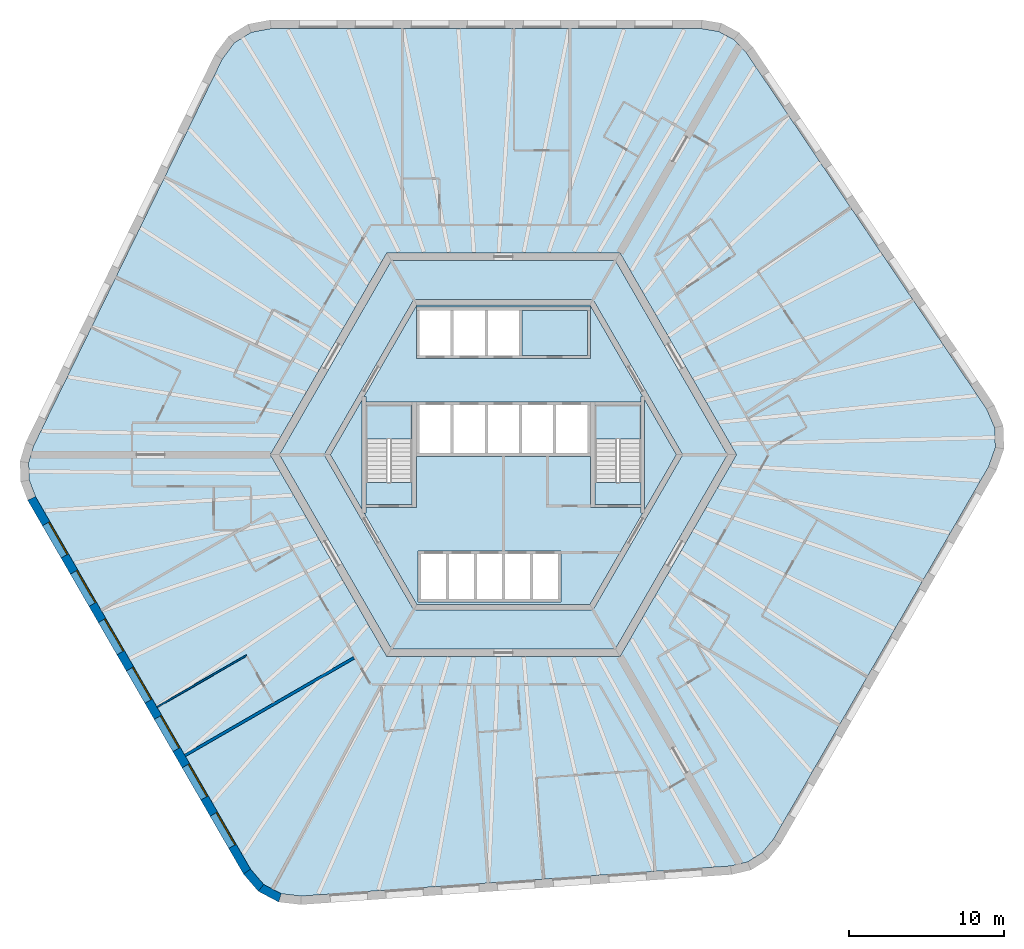
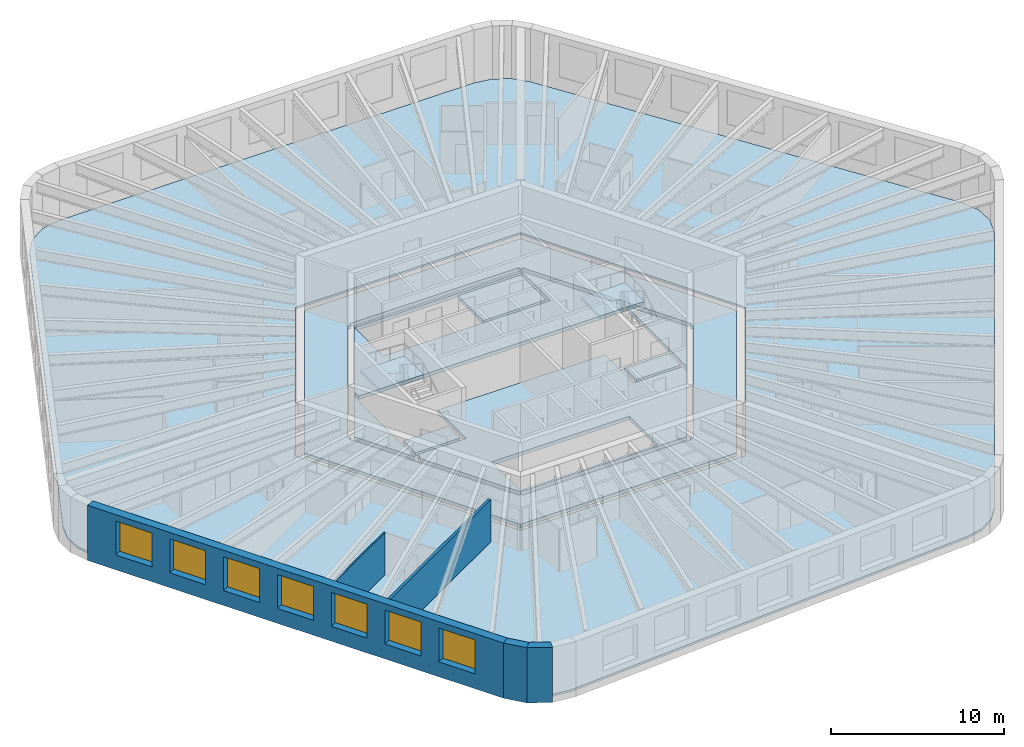
# One storey, part 2 of 10: 11 slabs, 7 windows, 5 walls, 7 openings, 2 elements without a shape of their own.
"""IFC4 building model written with IfcOpenShell, lengths in metres."""

from ifc_helpers import new_model, si_unit, direction, frame, frame_2d, origin, place, context, subcontext, project, spatial, polyline, rectangle, outline, extrude, material, layer, layer_set, type_object, element, fill, aggregate, save


model = new_model("IFC4")

# Units and contexts
model_context = context("Model", 3, precision=1e-05, world=origin(), true_north=direction((0.0, 1.0)))
body_context = subcontext(model_context, "Body", "Model", "MODEL_VIEW")
ifc_project = project(units=[si_unit("LENGTHUNIT", "METRE"), si_unit("AREAUNIT", "SQUARE_METRE"), si_unit("VOLUMEUNIT", "CUBIC_METRE"), si_unit("PLANEANGLEUNIT", "RADIAN"), si_unit("MASSUNIT", "GRAM", prefix="KILO")], contexts=[model_context])

# Site, building, storey
site_placement = place(None, origin())
site = spatial("IfcSite", under=ifc_project, at=site_placement, CompositionType="ELEMENT")
building_placement = place(site_placement, origin())
building = spatial("IfcBuilding", under=site, at=building_placement, Name="Tarnside Tower", CompositionType="ELEMENT")
storey_placement = place(building_placement, frame((0.0, 0.0, 180.0)))
storey = spatial("IfcBuildingStorey", under=building, at=storey_placement, Name="L42", CompositionType="ELEMENT", Elevation=180.0)

# Slabs
ifc_material_1 = material(Name="Concrete C35/45", Category="concrete")
ifc_layer_1 = layer(ifc_material_1, 0.14990234375)
ifc_layer_set_1 = layer_set([ifc_layer_1], Name="Composite floor slab 150")
slab_type_1 = type_object("IfcSlabType", Name="Composite floor slab 150", PredefinedType="FLOOR", material=ifc_layer_set_1)
slab_1_placement = place(storey_placement, frame((0.0, 0.0, -0.14990234375)))
element("IfcSlab", 1, at=slab_1_placement, inside=storey, type_object=slab_type_1, Name="Floor slab L42", PredefinedType="FLOOR", context=body_context, shape_type="SweptSolid", body=[
    extrude(outline(polyline([(13.864013671875, 27.264892578125), (14.85107421875, 26.740234375), (15.6337890625, 25.91064453125), (31.12890625, 2.938232421875), (31.644287109375, 1.7431640625), (31.68896484375, 0.468505859375), (31.258056640625, -0.759521484375), (17.403076171875, -24.7568359375), (16.68017578125, -25.63916015625), (15.732177734375, -26.2314453125), (14.622314453125, -26.494384765625), (-13.02001953125, -28.427490234375), (-14.3125, -28.2763671875), (-15.438720703125, -27.677490234375), (-16.286865234375, -26.6904296875), (-30.1416015625, -2.693115234375), (-30.544189453125, -1.6259765625), (-30.583251953125, -0.5087890625), (-30.256103515625, 0.583984375), (-18.10888671875, 25.4892578125), (-17.331787109375, 26.533203125), (-16.250244140625, 27.208984375), (-14.97119140625, 27.449951171875), (12.738525390625, 27.449951171875), (13.864013671875, 27.264892578125)]), holes=[polyline([(-15.010986328125, 0.0), (-7.505615234375, -13.0), (7.505615234375, -13.0), (15.010986328125, 0.0), (7.505615234375, 13.0), (-7.505615234375, 13.0), (-15.010986328125, 0.0)])]), origin(), (0.0, 0.0, 1.0), 0.14990234375),
])
ifc_material_2 = material(Name="Concrete C40/50", Category="concrete")
ifc_layer_2 = layer(ifc_material_2, 0.25)
ifc_layer_set_2 = layer_set([ifc_layer_2], Name="Core slab C40/50")
slab_type_2 = type_object("IfcSlabType", Name="Core slab C40/50", PredefinedType="FLOOR", material=ifc_layer_set_2)
slab_2_placement = place(storey_placement, frame((0.0, 0.0, -0.25)))
element("IfcSlab", 2, at=slab_2_placement, inside=storey, type_object=slab_type_2, Name="L42 core floor slab 1", PredefinedType="FLOOR", context=body_context, shape_type="SweptSolid", body=[
    extrude(outline(polyline([(-7.216796875, 12.5), (7.216796875, 12.5), (14.433837890625, 0.0), (7.216796875, -12.5), (-7.216796875, -12.5), (-14.433837890625, 0.0), (-7.216796875, 12.5)]), holes=[polyline([(5.823974609375, -9.91259765625), (11.49658203125, -0.08740234375), (11.344970703125, 0.0), (11.49658203125, 0.08740234375), (5.823974609375, 9.91259765625), (5.672607421875, 9.824951171875), (5.672607421875, 10.0), (-5.672607421875, 10.0), (-5.672607421875, 9.824951171875), (-5.823974609375, 9.91259765625), (-11.49658203125, 0.08740234375), (-11.344970703125, 0.0), (-11.49658203125, -0.08740234375), (-5.823974609375, -9.91259765625), (-5.672607421875, -9.824951171875), (-5.672607421875, -10.0), (5.672607421875, -10.0), (5.672607421875, -9.824951171875), (5.823974609375, -9.91259765625)])]), origin(), (0.0, 0.0, 1.0), 0.25),
])
slab_3_placement = place(storey_placement, frame((0.0, 0.0, -0.25)))
element("IfcSlab", 3, at=slab_3_placement, inside=storey, type_object=slab_type_2, Name="L42 core floor slab 2", PredefinedType="FLOOR", context=body_context, shape_type="SweptSolid", body=[
    extrude(outline(polyline([(-8.97509765625, 3.7548828125), (-5.5712890625, 9.64990234375), (5.5712890625, 9.64990234375), (8.97509765625, 3.7548828125), (8.85009765625, 3.7548828125), (8.85009765625, 3.39990234375), (5.89990234375, 3.39990234375), (5.60009765625, 3.39990234375), (5.60009765625, 3.39990234375), (-5.60009765625, 3.39990234375), (-5.89990234375, 3.39990234375), (-8.85009765625, 3.39990234375), (-8.85009765625, 3.7548828125), (-8.97509765625, 3.7548828125)]), holes=[polyline([(-5.60009765625, 6.199951171875), (5.60009765625, 6.199951171875), (5.60009765625, 6.39990234375), (5.60009765625, 9.300048828125), (5.60009765625, 9.5), (-5.60009765625, 9.5), (-5.60009765625, 9.300048828125), (-5.60009765625, 6.39990234375), (-5.60009765625, 6.199951171875)])]), origin(), (0.0, 0.0, 1.0), 0.25),
])
slab_4_placement = place(storey_placement, frame((0.0, 0.0, -0.25)))
element("IfcSlab", 4, at=slab_4_placement, inside=storey, type_object=slab_type_2, Name="L42 core floor slab 3", PredefinedType="FLOOR", context=body_context, shape_type="SweptSolid", body=[
    extrude(outline(polyline([(5.60009765625, -3.39990234375), (5.89990234375, -3.39990234375), (8.85009765625, -3.39990234375), (8.85009765625, -3.7548828125), (8.97509765625, -3.7548828125), (5.5712890625, -9.64990234375), (-5.5712890625, -9.64990234375), (-8.97509765625, -3.7548828125), (-8.85009765625, -3.7548828125), (-8.85009765625, -3.39990234375), (-5.89990234375, -3.39990234375), (-5.60009765625, -3.39990234375), (-5.60009765625, -0.10009765625), (5.60009765625, -0.10009765625), (5.60009765625, -3.39990234375)]), holes=[polyline([(-5.5, -9.300048828125), (-5.5, -9.5), (3.699951171875, -9.5), (3.699951171875, -9.300048828125), (3.699951171875, -6.39990234375), (3.699951171875, -6.199951171875), (-5.5, -6.199951171875), (-5.5, -6.39990234375), (-5.5, -9.300048828125)])]), origin(), (0.0, 0.0, 1.0), 0.25),
])
slab_5_placement = place(storey_placement, frame((0.0, 0.0, -0.25)))
element("IfcSlab", 5, at=slab_5_placement, inside=storey, type_object=slab_type_2, Name="L42 core floor slab 4", PredefinedType="FLOOR", context=body_context, shape_type="SweptSolid", body=[
    extrude(outline(polyline([(-11.142822265625, 0.0), (-9.10009765625, 3.538330078125), (-9.10009765625, -3.538330078125), (-11.142822265625, 0.0)])), origin(), (0.0, 0.0, 1.0), 0.25),
])
slab_6_placement = place(storey_placement, frame((0.0, 0.0, -0.25)))
element("IfcSlab", 6, at=slab_6_placement, inside=storey, type_object=slab_type_2, Name="L42 core floor slab 5", PredefinedType="FLOOR", context=body_context, shape_type="SweptSolid", body=[
    extrude(outline(polyline([(-8.85009765625, -1.800048828125), (-5.89990234375, -1.800048828125), (-5.89990234375, -3.199951171875), (-8.85009765625, -3.199951171875), (-8.85009765625, -1.800048828125)])), origin(), (0.0, 0.0, 1.0), 0.25),
])
slab_7_placement = place(storey_placement, frame((0.0, 0.0, -0.25)))
element("IfcSlab", 7, at=slab_7_placement, inside=storey, type_object=slab_type_2, Name="L42 core floor slab 6", PredefinedType="FLOOR", context=body_context, shape_type="SweptSolid", body=[
    extrude(outline(polyline([(5.89990234375, -3.199951171875), (5.89990234375, -1.800048828125), (8.85009765625, -1.800048828125), (8.85009765625, -3.199951171875), (5.89990234375, -3.199951171875)])), origin(), (0.0, 0.0, 1.0), 0.25),
])
slab_8_placement = place(storey_placement, frame((0.0, 0.0, -0.25)))
element("IfcSlab", 8, at=slab_8_placement, inside=storey, type_object=slab_type_2, Name="L42 core floor slab 7", PredefinedType="FLOOR", context=body_context, shape_type="SweptSolid", body=[
    extrude(outline(polyline([(9.10009765625, -3.538330078125), (9.10009765625, 3.538330078125), (11.142822265625, 0.0), (9.10009765625, -3.538330078125)])), origin(), (0.0, 0.0, 1.0), 0.25),
])
slab_9_placement = place(storey_placement, frame((0.0, 0.0, -0.25)))
element("IfcSlab", 9, at=slab_9_placement, inside=storey, type_object=slab_type_2, Name="L42 core floor slab 8", PredefinedType="FLOOR", context=body_context, shape_type="SweptSolid", body=[
    extrude(outline(polyline([(5.39990234375, 9.300048828125), (5.39990234375, 6.39990234375), (1.199951171875, 6.39990234375), (1.199951171875, 9.300048828125), (5.39990234375, 9.300048828125)])), origin(), (0.0, 0.0, 1.0), 0.25),
])

# Stair, slab
stair_type = type_object("IfcStairType", Name="Exit stair 1400 clear", PredefinedType="HALF_TURN_STAIR", material=ifc_material_2)
stair_1_placement = place(storey_placement, origin())
stair_1 = element("IfcStair", 10, at=stair_1_placement, inside=storey, type_object=stair_type, Name="L42 Exit stair 1", PredefinedType="HALF_TURN_STAIR")
ifc_layer_3 = layer(ifc_material_2, 0.199951171875)
ifc_layer_set_3 = layer_set([ifc_layer_3], Name="Stair landing 200 C40/50")
slab_type_3 = type_object("IfcSlabType", Name="Stair landing 200 C40/50", PredefinedType="LANDING", material=ifc_layer_set_3)
slab_10_placement = place(storey_placement, frame((0.0, 0.0, 1.75)))
slab_10 = element("IfcSlab", 11, at=slab_10_placement, type_object=slab_type_3, Name="ST1 landing 1", PredefinedType="LANDING", context=body_context, shape_type="SweptSolid", body=[
    extrude(outline(polyline([(8.85009765625, 1.0), (8.85009765625, 3.199951171875), (5.89990234375, 3.199951171875), (5.89990234375, 1.0), (8.85009765625, 1.0)])), origin(), (0.0, 0.0, 1.0), 0.199951171875),
])
aggregate(stair_1, [slab_10])

stair_2_placement = place(storey_placement, origin())
stair_2 = element("IfcStair", 12, at=stair_2_placement, inside=storey, type_object=stair_type, Name="L42 Exit stair 2", PredefinedType="HALF_TURN_STAIR")
slab_11_placement = place(storey_placement, frame((0.0, 0.0, 1.75)))
slab_11 = element("IfcSlab", 13, at=slab_11_placement, type_object=slab_type_3, Name="ST2 landing 1", PredefinedType="LANDING", context=body_context, shape_type="SweptSolid", body=[
    extrude(outline(polyline([(-5.89990234375, 1.0), (-5.89990234375, 3.199951171875), (-8.85009765625, 3.199951171875), (-8.85009765625, 1.0), (-5.89990234375, 1.0)])), origin(), (0.0, 0.0, 1.0), 0.199951171875),
])
aggregate(stair_2, [slab_11])

# Walls
ifc_material_3 = material(Name="Gypsum board partition on steel studs", Category="steel")
ifc_layer_4 = layer(ifc_material_3, 0.179931640625)
ifc_layer_set_4 = layer_set([ifc_layer_4], Name="Demising wall 180 EI 60")
wall_type_1 = type_object("IfcWallType", Name="Demising wall 180 EI 60", PredefinedType="PARTITIONING", material=ifc_layer_set_4)
wall_1_placement = place(storey_placement, frame((-20.513427734375, -19.36962890625, 0.0), z_axis=(0.0, 0.0, 1.0), x_axis=(0.866019402111, 0.500010395058, 0.0)))
element("IfcWall", 14, at=wall_1_placement, inside=storey, type_object=wall_type_1, Name="Demising wall 13079", PredefinedType="PARTITIONING", context=body_context, shape_type="SweptSolid", body=[
    extrude(rectangle(XDim=12.574951171875, YDim=0.179931640625, at=frame_2d((6.28759765625, 0.0))), origin(), (0.0, 0.0, 1.0), 2.98779296875),
])
ifc_layer_5 = layer(ifc_material_3, 0.10009765625)
ifc_layer_set_5 = layer_set([ifc_layer_5], Name="Partition 100")
wall_type_2 = type_object("IfcWallType", Name="Partition 100", PredefinedType="PARTITIONING", material=ifc_layer_set_5)
wall_2_placement = place(storey_placement, frame((-22.3134765625, -16.251953125, 0.0), z_axis=(0.0, 0.0, 1.0), x_axis=(0.866027239912, 0.49999681972, 0.0)))
element("IfcWall", 15, at=wall_2_placement, inside=storey, type_object=wall_type_2, Name="Partition wall 13077", PredefinedType="PARTITIONING", context=body_context, shape_type="SweptSolid", body=[
    extrude(rectangle(XDim=6.64990234375, YDim=0.10009765625, at=frame_2d((3.324951171875, 0.0))), origin(), (0.0, 0.0, 1.0), 2.98779296875),
])

# Wall, openings, windows
ifc_material_4 = material(Name="Facing brick", Category="masonry")
ifc_layer_6 = layer(ifc_material_4, 0.10205078125)
ifc_material_5 = material(Name="Concrete C60/75 precast", Category="concrete")
ifc_layer_7 = layer(ifc_material_5, 0.347900390625)
ifc_material_6 = material(Name="Mineral wool insulation")
ifc_layer_8 = layer(ifc_material_6, 0.10009765625)
ifc_layer_set_6 = layer_set([ifc_layer_6, ifc_layer_7, ifc_layer_8], Name="Tube wall 550 brick faced")
wall_type_3 = type_object("IfcWallType", Name="Tube wall 550 brick faced", PredefinedType="SOLIDWALL", material=ifc_layer_set_6)
wall_3_placement = place(storey_placement, frame((-30.39111328125, -2.81103515625, -0.14990234375), z_axis=(0.0, 0.0, 1.0), x_axis=(0.499998569178, -0.866026229868, 0.0)))
wall_3 = element("IfcWall", 16, at=wall_3_placement, inside=storey, type_object=wall_type_3, Name="Tube wall L42 F3 flush 08", PredefinedType="SOLIDWALL", context=body_context, shape_type="SweptSolid", body=[
    extrude(outline(polyline([(-0.0224609375, -0.27490234375), (27.783447265625, -0.27490234375), (27.732177734375, 0.27490234375), (0.0224609375, 0.27490234375), (-0.0224609375, -0.27490234375)])), origin(), (0.0, 0.0, 1.0), 3.89990234375),
])
opening_1_placement = place(wall_3_placement, frame((1.87890625, 0.0, 1.050048828125)))
opening_1 = element("IfcOpeningElement", 17, at=opening_1_placement, cuts=wall_3, Name="Opening WH", PredefinedType="OPENING", context=body_context, shape_type="SweptSolid", body=[
    extrude(rectangle(XDim=2.39990234375, YDim=2.39990234375, at=frame_2d((1.199951171875, 1.199951171875))), frame((0.0, 0.28515625, 0.0), z_axis=(0.0, -1.0, 0.0), x_axis=(1.0, 0.0, 0.0)), (0.0, 0.0, 1.0), 0.570068359375),
])
opening_2_placement = place(wall_3_placement, frame((5.47900390625, 0.0, 1.050048828125)))
opening_2 = element("IfcOpeningElement", 18, at=opening_2_placement, cuts=wall_3, Name="Opening WH", PredefinedType="OPENING", context=body_context, shape_type="SweptSolid", body=[
    extrude(rectangle(XDim=2.39990234375, YDim=2.39990234375, at=frame_2d((1.199951171875, 1.199951171875))), frame((0.0, 0.28515625, 0.0), z_axis=(0.0, -1.0, 0.0), x_axis=(1.0, 0.0, 0.0)), (0.0, 0.0, 1.0), 0.570068359375),
])
opening_3_placement = place(wall_3_placement, frame((9.078857421875, 0.0, 1.050048828125)))
opening_3 = element("IfcOpeningElement", 19, at=opening_3_placement, cuts=wall_3, Name="Opening WH", PredefinedType="OPENING", context=body_context, shape_type="SweptSolid", body=[
    extrude(rectangle(XDim=2.39990234375, YDim=2.39990234375, at=frame_2d((1.199951171875, 1.199951171875))), frame((0.0, 0.28515625, 0.0), z_axis=(0.0, -1.0, 0.0), x_axis=(1.0, 0.0, 0.0)), (0.0, 0.0, 1.0), 0.570068359375),
])
opening_4_placement = place(wall_3_placement, frame((12.678955078125, 0.0, 1.050048828125)))
opening_4 = element("IfcOpeningElement", 20, at=opening_4_placement, cuts=wall_3, Name="Opening WH", PredefinedType="OPENING", context=body_context, shape_type="SweptSolid", body=[
    extrude(rectangle(XDim=2.39990234375, YDim=2.39990234375, at=frame_2d((1.199951171875, 1.199951171875))), frame((0.0, 0.28515625, 0.0), z_axis=(0.0, -1.0, 0.0), x_axis=(1.0, 0.0, 0.0)), (0.0, 0.0, 1.0), 0.570068359375),
])
opening_5_placement = place(wall_3_placement, frame((16.27880859375, 0.0, 1.050048828125)))
opening_5 = element("IfcOpeningElement", 21, at=opening_5_placement, cuts=wall_3, Name="Opening WH", PredefinedType="OPENING", context=body_context, shape_type="SweptSolid", body=[
    extrude(rectangle(XDim=2.39990234375, YDim=2.39990234375, at=frame_2d((1.199951171875, 1.199951171875))), frame((0.0, 0.28515625, 0.0), z_axis=(0.0, -1.0, 0.0), x_axis=(1.0, 0.0, 0.0)), (0.0, 0.0, 1.0), 0.570068359375),
])
opening_6_placement = place(wall_3_placement, frame((19.87890625, 0.0, 1.050048828125)))
opening_6 = element("IfcOpeningElement", 22, at=opening_6_placement, cuts=wall_3, Name="Opening WH", PredefinedType="OPENING", context=body_context, shape_type="SweptSolid", body=[
    extrude(rectangle(XDim=2.39990234375, YDim=2.39990234375, at=frame_2d((1.199951171875, 1.199951171875))), frame((0.0, 0.28515625, 0.0), z_axis=(0.0, -1.0, 0.0), x_axis=(1.0, 0.0, 0.0)), (0.0, 0.0, 1.0), 0.570068359375),
])
opening_7_placement = place(wall_3_placement, frame((23.47900390625, 0.0, 1.050048828125)))
opening_7 = element("IfcOpeningElement", 23, at=opening_7_placement, cuts=wall_3, Name="Opening WH", PredefinedType="OPENING", context=body_context, shape_type="SweptSolid", body=[
    extrude(rectangle(XDim=2.39990234375, YDim=2.39990234375, at=frame_2d((1.199951171875, 1.199951171875))), frame((0.0, 0.28515625, 0.0), z_axis=(0.0, -1.0, 0.0), x_axis=(1.0, 0.0, 0.0)), (0.0, 0.0, 1.0), 0.570068359375),
])
ifc_material_7 = material(Name="Aluminium-framed double glazing", Category="aluminium")
window_type = type_object("IfcWindowType", Name="Hotel window 2400 x 2400", PartitioningType="DOUBLE_PANEL_VERTICAL", PredefinedType="WINDOW", material=ifc_material_7)
window_1_placement = place(opening_1_placement, frame((0.0, 0.205078125, 0.0)))
window_1 = element("IfcWindow", 24, at=window_1_placement, inside=storey, type_object=window_type, Name="E.WN.L42.F3.00", OverallHeight=2.39990234375, OverallWidth=2.39990234375, PartitioningType="DOUBLE_PANEL_VERTICAL", PredefinedType="WINDOW", context=body_context, shape_type="SweptSolid", body=[
    extrude(rectangle(XDim=2.39990234375, YDim=2.39990234375, at=frame_2d((1.199951171875, 1.199951171875))), frame((0.0, 0.030029296875, 0.0), z_axis=(0.0, -1.0, 0.0), x_axis=(1.0, 0.0, 0.0)), (0.0, 0.0, 1.0), 0.06005859375),
])
fill(opening_1, window_1)
window_2_placement = place(opening_2_placement, frame((0.0, 0.205078125, 0.0)))
window_2 = element("IfcWindow", 25, at=window_2_placement, inside=storey, type_object=window_type, Name="E.WN.L42.F3.01", OverallHeight=2.39990234375, OverallWidth=2.39990234375, PartitioningType="DOUBLE_PANEL_VERTICAL", PredefinedType="WINDOW", context=body_context, shape_type="SweptSolid", body=[
    extrude(rectangle(XDim=2.39990234375, YDim=2.39990234375, at=frame_2d((1.199951171875, 1.199951171875))), frame((0.0, 0.030029296875, 0.0), z_axis=(0.0, -1.0, 0.0), x_axis=(1.0, 0.0, 0.0)), (0.0, 0.0, 1.0), 0.06005859375),
])
fill(opening_2, window_2)
window_3_placement = place(opening_3_placement, frame((0.0, 0.205078125, 0.0)))
window_3 = element("IfcWindow", 26, at=window_3_placement, inside=storey, type_object=window_type, Name="E.WN.L42.F3.02", OverallHeight=2.39990234375, OverallWidth=2.39990234375, PartitioningType="DOUBLE_PANEL_VERTICAL", PredefinedType="WINDOW", context=body_context, shape_type="SweptSolid", body=[
    extrude(rectangle(XDim=2.39990234375, YDim=2.39990234375, at=frame_2d((1.199951171875, 1.199951171875))), frame((0.0, 0.030029296875, 0.0), z_axis=(0.0, -1.0, 0.0), x_axis=(1.0, 0.0, 0.0)), (0.0, 0.0, 1.0), 0.06005859375),
])
fill(opening_3, window_3)
window_4_placement = place(opening_4_placement, frame((0.0, 0.205078125, 0.0)))
window_4 = element("IfcWindow", 27, at=window_4_placement, inside=storey, type_object=window_type, Name="E.WN.L42.F3.03", OverallHeight=2.39990234375, OverallWidth=2.39990234375, PartitioningType="DOUBLE_PANEL_VERTICAL", PredefinedType="WINDOW", context=body_context, shape_type="SweptSolid", body=[
    extrude(rectangle(XDim=2.39990234375, YDim=2.39990234375, at=frame_2d((1.199951171875, 1.199951171875))), frame((0.0, 0.030029296875, 0.0), z_axis=(0.0, -1.0, 0.0), x_axis=(1.0, 0.0, 0.0)), (0.0, 0.0, 1.0), 0.06005859375),
])
fill(opening_4, window_4)
window_5_placement = place(opening_5_placement, frame((0.0, 0.205078125, 0.0)))
window_5 = element("IfcWindow", 28, at=window_5_placement, inside=storey, type_object=window_type, Name="E.WN.L42.F3.04", OverallHeight=2.39990234375, OverallWidth=2.39990234375, PartitioningType="DOUBLE_PANEL_VERTICAL", PredefinedType="WINDOW", context=body_context, shape_type="SweptSolid", body=[
    extrude(rectangle(XDim=2.39990234375, YDim=2.39990234375, at=frame_2d((1.199951171875, 1.199951171875))), frame((0.0, 0.030029296875, 0.0), z_axis=(0.0, -1.0, 0.0), x_axis=(1.0, 0.0, 0.0)), (0.0, 0.0, 1.0), 0.06005859375),
])
fill(opening_5, window_5)
window_6_placement = place(opening_6_placement, frame((0.0, 0.205078125, 0.0)))
window_6 = element("IfcWindow", 29, at=window_6_placement, inside=storey, type_object=window_type, Name="E.WN.L42.F3.05", OverallHeight=2.39990234375, OverallWidth=2.39990234375, PartitioningType="DOUBLE_PANEL_VERTICAL", PredefinedType="WINDOW", context=body_context, shape_type="SweptSolid", body=[
    extrude(rectangle(XDim=2.39990234375, YDim=2.39990234375, at=frame_2d((1.199951171875, 1.199951171875))), frame((0.0, 0.030029296875, 0.0), z_axis=(0.0, -1.0, 0.0), x_axis=(1.0, 0.0, 0.0)), (0.0, 0.0, 1.0), 0.06005859375),
])
fill(opening_6, window_6)
window_7_placement = place(opening_7_placement, frame((0.0, 0.205078125, 0.0)))
window_7 = element("IfcWindow", 30, at=window_7_placement, inside=storey, type_object=window_type, Name="E.WN.L42.F3.06", OverallHeight=2.39990234375, OverallWidth=2.39990234375, PartitioningType="DOUBLE_PANEL_VERTICAL", PredefinedType="WINDOW", context=body_context, shape_type="SweptSolid", body=[
    extrude(rectangle(XDim=2.39990234375, YDim=2.39990234375, at=frame_2d((1.199951171875, 1.199951171875))), frame((0.0, 0.030029296875, 0.0), z_axis=(0.0, -1.0, 0.0), x_axis=(1.0, 0.0, 0.0)), (0.0, 0.0, 1.0), 0.06005859375),
])
fill(opening_7, window_7)

# Walls
wall_4_placement = place(storey_placement, frame((-16.51220703125, -26.85009765625, -0.14990234375), z_axis=(0.0, 0.0, 1.0), x_axis=(0.651621950847, -0.758543890078, 0.0)))
element("IfcWall", 31, at=wall_4_placement, inside=storey, type_object=wall_type_3, Name="Tube wall L42 F3 chord 09", PredefinedType="SOLIDWALL", context=body_context, shape_type="SweptSolid", body=[
    extrude(outline(polyline([(-0.025634765625, -0.27490234375), (1.430908203125, -0.27490234375), (1.327392578125, 0.27490234375), (0.025634765625, 0.27490234375), (-0.025634765625, -0.27490234375)])), origin(), (0.0, 0.0, 1.0), 3.89990234375),
])
wall_5_placement = place(storey_placement, frame((-15.613525390625, -27.896240234375, -0.14990234375), z_axis=(0.0, 0.0, 1.0), x_axis=(0.882994189209, -0.469383917304, 0.0)))
element("IfcWall", 32, at=wall_5_placement, inside=storey, type_object=wall_type_3, Name="Tube wall L42 F3 chord 10", PredefinedType="SOLIDWALL", context=body_context, shape_type="SweptSolid", body=[
    extrude(outline(polyline([(-0.0517578125, -0.27490234375), (1.4306640625, -0.27490234375), (1.3271484375, 0.27490234375), (0.0517578125, 0.27490234375), (-0.0517578125, -0.27490234375)])), origin(), (0.0, 0.0, 1.0), 3.89990234375),
])

save(model, "model.ifc")
